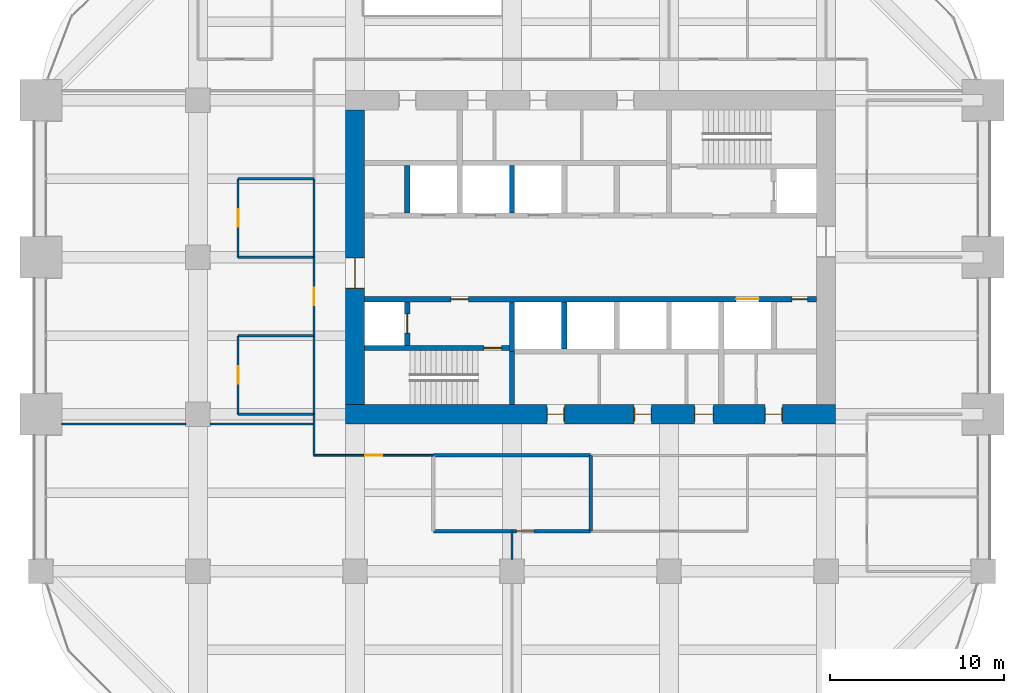
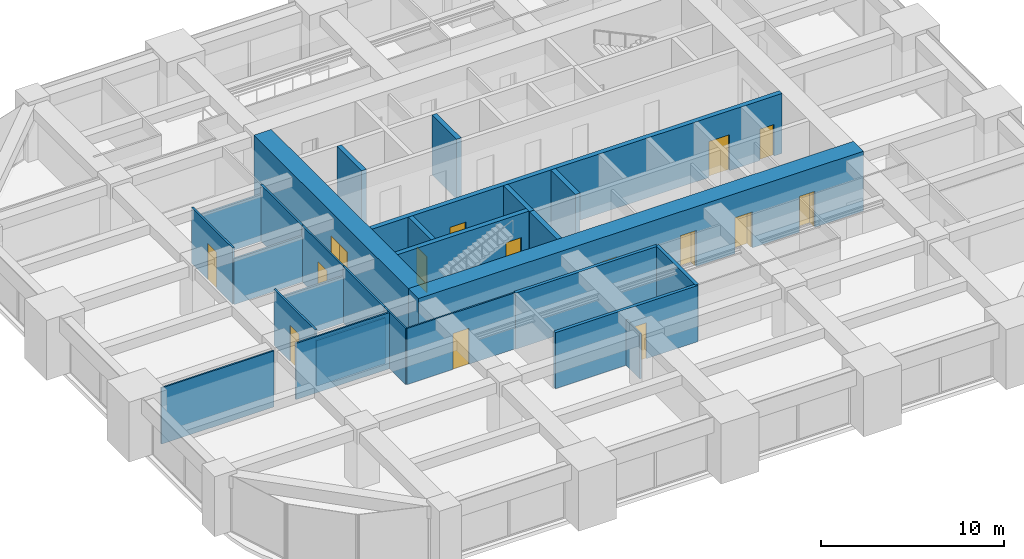
# One storey, part 29 of 32: 27 walls, 15 doors, 15 openings.
"""IFC4 building model written with IfcOpenShell, lengths in metres."""

from ifc_helpers import new_model, si_unit, direction, frame, frame_2d, origin, place, context, subcontext, project, spatial, rectangle, extrude, material, layer, layer_set, type_object, element, fill, save


model = new_model("IFC4")

# Units and contexts
model_context = context("Model", 3, precision=1e-05, world=origin(), true_north=direction((0.0, 1.0)))
body_context = subcontext(model_context, "Body", "Model", "MODEL_VIEW")
ifc_project = project(units=[si_unit("LENGTHUNIT", "METRE"), si_unit("AREAUNIT", "SQUARE_METRE"), si_unit("VOLUMEUNIT", "CUBIC_METRE"), si_unit("PLANEANGLEUNIT", "RADIAN"), si_unit("MASSUNIT", "GRAM", prefix="KILO")], contexts=[model_context])

# Site, building, storey
site_placement = place(None, origin())
site = spatial("IfcSite", under=ifc_project, at=site_placement, CompositionType="ELEMENT")
building_placement = place(site_placement, origin())
building = spatial("IfcBuilding", under=site, at=building_placement, Name="Zorevar Civic Tower", CompositionType="ELEMENT")
storey_placement = place(building_placement, frame((0.0, 0.0, 198.199951171875)))
storey = spatial("IfcBuildingStorey", under=building, at=storey_placement, Name="L48", CompositionType="ELEMENT", Elevation=198.199951171875)

# Wall, opening, door
ifc_material_1 = material(Name="Concrete blockwork", Category="masonry")
ifc_layer_1 = layer(ifc_material_1, 0.199951171875)
ifc_layer_set_1 = layer_set([ifc_layer_1], Name="Blockwork wall 200")
wall_type_1 = type_object("IfcWallType", Name="Blockwork wall 200", PredefinedType="SOLIDWALL", material=ifc_layer_set_1)
wall_1_placement = place(storey_placement, frame((22.5, 11.300048828125, 0.0), z_axis=(0.0, 0.0, 1.0), x_axis=(1.0, 0.0, 0.0)))
wall_1 = element("IfcWall", 1, at=wall_1_placement, inside=storey, type_object=wall_type_1, Name="Blockwork wall 200 L48", PredefinedType="SOLIDWALL", context=body_context, shape_type="SweptSolid", body=[
    extrude(rectangle(XDim=9.0, YDim=0.199951171875, at=frame_2d((4.5, 0.0))), origin(), (0.0, 0.0, 1.0), 3.75),
])
opening_1_placement = place(wall_1_placement, frame((4.75, 0.0, 0.0)))
opening_1 = element("IfcOpeningElement", 2, at=opening_1_placement, cuts=wall_1, Name="Opening L48.17", PredefinedType="OPENING", context=body_context, shape_type="SweptSolid", body=[
    extrude(rectangle(XDim=1.0, YDim=2.39990234375, at=frame_2d((0.5, 1.199951171875))), frame((0.0, 0.10986328125, 0.0), z_axis=(0.0, -1.0, 0.0), x_axis=(1.0, 0.0, 0.0)), (0.0, 0.0, 1.0), 0.219970703125),
])
ifc_material_2 = material(Name="Steel door set", Category="steel")
door_type_1 = type_object("IfcDoorType", Name="Security door SD1 1000x2400", OperationType="SINGLE_SWING_LEFT", PredefinedType="DOOR", material=ifc_material_2)
door_1_placement = place(opening_1_placement, origin())
door_1 = element("IfcDoor", 3, at=door_1_placement, inside=storey, type_object=door_type_1, Name="Door L48 D1", OperationType="SINGLE_SWING_RIGHT", OverallHeight=2.39990234375, OverallWidth=1.0, PredefinedType="DOOR", context=body_context, shape_type="SweptSolid", body=[
    extrude(rectangle(XDim=1.0, YDim=2.39990234375, at=frame_2d((0.5, 1.199951171875))), frame((0.0, 0.03515625, 0.0), z_axis=(0.0, -1.0, 0.0), x_axis=(1.0, 0.0, 0.0)), (0.0, 0.0, 1.0), 0.070068359375),
])
fill(opening_1, door_1)

# Walls
wall_2_placement = place(storey_placement, frame((22.5, 15.64990234375, 0.0), z_axis=(0.0, 0.0, 1.0), x_axis=(1.0, 0.0, 0.0)))
element("IfcWall", 4, at=wall_2_placement, inside=storey, type_object=wall_type_1, Name="Blockwork wall 200 L48", PredefinedType="SOLIDWALL", context=body_context, shape_type="SweptSolid", body=[
    extrude(rectangle(XDim=9.0, YDim=0.199951171875, at=frame_2d((4.5, 0.0))), origin(), (0.0, 0.0, 1.0), 3.75),
])
wall_3_placement = place(storey_placement, frame((31.5, 11.300048828125, 0.0), z_axis=(0.0, 0.0, 1.0), x_axis=(0.0, 1.0, 0.0)))
element("IfcWall", 5, at=wall_3_placement, inside=storey, type_object=wall_type_1, Name="Blockwork wall 200 L48", PredefinedType="SOLIDWALL", context=body_context, shape_type="SweptSolid", body=[
    extrude(rectangle(XDim=4.349853515625, YDim=0.199951171875, at=frame_2d((2.1748046875, 0.0))), origin(), (0.0, 0.0, 1.0), 3.75),
])

# Wall, openings, doors
ifc_material_3 = material(Name="Concrete C50/60", Category="concrete")
ifc_layer_2 = layer(ifc_material_3, 1.10009765625)
ifc_layer_set_2 = layer_set([ifc_layer_2], Name="Core wall 1100")
wall_type_2 = type_object("IfcWallType", Name="Core wall 1100", PredefinedType="SHEAR", material=ifc_layer_set_2)
wall_4_placement = place(storey_placement, frame((17.449951171875, 18.0, 0.0), z_axis=(0.0, 0.0, 1.0), x_axis=(1.0, 0.0, 0.0)))
wall_4 = element("IfcWall", 6, at=wall_4_placement, inside=storey, type_object=wall_type_2, Name="Core wall S L48", PredefinedType="SHEAR", context=body_context, shape_type="SweptSolid", body=[
    extrude(rectangle(XDim=28.10009765625, YDim=1.10009765625, at=frame_2d((14.050048828125, 0.0))), origin(), (0.0, 0.0, 1.0), 4.0),
])
opening_2_placement = place(wall_4_placement, frame((11.550048828125, 0.0, 0.0)))
opening_2 = element("IfcOpeningElement", 7, at=opening_2_placement, cuts=wall_4, Name="Opening L48.03", PredefinedType="OPENING", context=body_context, shape_type="SweptSolid", body=[
    extrude(rectangle(XDim=1.0, YDim=2.39990234375, at=frame_2d((0.5, 1.199951171875))), frame((0.0, 0.56005859375, 0.0), z_axis=(0.0, -1.0, 0.0), x_axis=(1.0, 0.0, 0.0)), (0.0, 0.0, 1.0), 1.1201171875),
])
opening_3_placement = place(wall_4_placement, frame((16.550048828125, 0.0, 0.0)))
opening_3 = element("IfcOpeningElement", 8, at=opening_3_placement, cuts=wall_4, Name="Opening L48.04", PredefinedType="OPENING", context=body_context, shape_type="SweptSolid", body=[
    extrude(rectangle(XDim=1.0, YDim=2.39990234375, at=frame_2d((0.5, 1.199951171875))), frame((0.0, 0.56005859375, 0.0), z_axis=(0.0, -1.0, 0.0), x_axis=(1.0, 0.0, 0.0)), (0.0, 0.0, 1.0), 1.1201171875),
])
opening_4_placement = place(wall_4_placement, frame((20.0, 0.0, 0.0)))
opening_4 = element("IfcOpeningElement", 9, at=opening_4_placement, cuts=wall_4, Name="Opening L48.05", PredefinedType="OPENING", context=body_context, shape_type="SweptSolid", body=[
    extrude(rectangle(XDim=1.10009765625, YDim=2.39990234375, at=frame_2d((0.550048828125, 1.199951171875))), frame((0.0, 0.56005859375, 0.0), z_axis=(0.0, -1.0, 0.0), x_axis=(1.0, 0.0, 0.0)), (0.0, 0.0, 1.0), 1.1201171875),
])
opening_5_placement = place(wall_4_placement, frame((24.050048828125, 0.0, 0.0)))
opening_5 = element("IfcOpeningElement", 10, at=opening_5_placement, cuts=wall_4, Name="Opening L48.06", PredefinedType="OPENING", context=body_context, shape_type="SweptSolid", body=[
    extrude(rectangle(XDim=1.0, YDim=2.39990234375, at=frame_2d((0.5, 1.199951171875))), frame((0.0, 0.56005859375, 0.0), z_axis=(0.0, -1.0, 0.0), x_axis=(1.0, 0.0, 0.0)), (0.0, 0.0, 1.0), 1.1201171875),
])
ifc_material_4 = material(Name="Timber door set", Category="wood")
door_type_2 = type_object("IfcDoorType", Name="Door D1 1000x2400", OperationType="SINGLE_SWING_LEFT", PredefinedType="DOOR", material=ifc_material_4)
door_2_placement = place(opening_2_placement, origin())
door_2 = element("IfcDoor", 11, at=door_2_placement, inside=storey, type_object=door_type_2, Name="Door L48 02", OperationType="SINGLE_SWING_RIGHT", OverallHeight=2.39990234375, OverallWidth=1.0, PredefinedType="DOOR", context=body_context, shape_type="SweptSolid", body=[
    extrude(rectangle(XDim=1.0, YDim=2.39990234375, at=frame_2d((0.5, 1.199951171875))), frame((0.0, 0.02490234375, 0.0), z_axis=(0.0, -1.0, 0.0), x_axis=(1.0, 0.0, 0.0)), (0.0, 0.0, 1.0), 0.050048828125),
    extrude(rectangle(XDim=0.04, YDim=2.39990234375, at=frame_2d((0.02001953125, 1.199951171875))), frame((0.0, 0.39990234375, 0.0), z_axis=(0.0, -1.0, 0.0), x_axis=(1.0, 0.0, 0.0)), (0.0, 0.0, 1.0), 0.800048828125),
    extrude(rectangle(XDim=0.04, YDim=2.39990234375, at=frame_2d((0.97998046875, 1.199951171875))), frame((0.0, 0.39990234375, 0.0), z_axis=(0.0, -1.0, 0.0), x_axis=(1.0, 0.0, 0.0)), (0.0, 0.0, 1.0), 0.800048828125),
    extrude(rectangle(XDim=1.0, YDim=0.04, at=frame_2d((0.5, 2.3798828125))), frame((0.0, 0.39990234375, 0.0), z_axis=(0.0, -1.0, 0.0), x_axis=(1.0, 0.0, 0.0)), (0.0, 0.0, 1.0), 0.800048828125),
])
fill(opening_2, door_2)
door_3_placement = place(opening_3_placement, origin())
door_3 = element("IfcDoor", 12, at=door_3_placement, inside=storey, type_object=door_type_2, Name="Door L48 03", OperationType="SINGLE_SWING_LEFT", OverallHeight=2.39990234375, OverallWidth=1.0, PredefinedType="DOOR", context=body_context, shape_type="SweptSolid", body=[
    extrude(rectangle(XDim=1.0, YDim=2.39990234375, at=frame_2d((0.5, 1.199951171875))), frame((0.0, 0.02490234375, 0.0), z_axis=(0.0, -1.0, 0.0), x_axis=(1.0, 0.0, 0.0)), (0.0, 0.0, 1.0), 0.050048828125),
    extrude(rectangle(XDim=0.04, YDim=2.39990234375, at=frame_2d((0.02001953125, 1.199951171875))), frame((0.0, 0.39990234375, 0.0), z_axis=(0.0, -1.0, 0.0), x_axis=(1.0, 0.0, 0.0)), (0.0, 0.0, 1.0), 0.800048828125),
    extrude(rectangle(XDim=0.04, YDim=2.39990234375, at=frame_2d((0.97998046875, 1.199951171875))), frame((0.0, 0.39990234375, 0.0), z_axis=(0.0, -1.0, 0.0), x_axis=(1.0, 0.0, 0.0)), (0.0, 0.0, 1.0), 0.800048828125),
    extrude(rectangle(XDim=1.0, YDim=0.04, at=frame_2d((0.5, 2.3798828125))), frame((0.0, 0.39990234375, 0.0), z_axis=(0.0, -1.0, 0.0), x_axis=(1.0, 0.0, 0.0)), (0.0, 0.0, 1.0), 0.800048828125),
])
fill(opening_3, door_3)
door_4_placement = place(opening_5_placement, origin())
door_4 = element("IfcDoor", 13, at=door_4_placement, inside=storey, type_object=door_type_2, Name="Door L48 05", OperationType="SINGLE_SWING_LEFT", OverallHeight=2.39990234375, OverallWidth=1.0, PredefinedType="DOOR", context=body_context, shape_type="SweptSolid", body=[
    extrude(rectangle(XDim=1.0, YDim=2.39990234375, at=frame_2d((0.5, 1.199951171875))), frame((0.0, 0.02490234375, 0.0), z_axis=(0.0, -1.0, 0.0), x_axis=(1.0, 0.0, 0.0)), (0.0, 0.0, 1.0), 0.050048828125),
    extrude(rectangle(XDim=0.04, YDim=2.39990234375, at=frame_2d((0.02001953125, 1.199951171875))), frame((0.0, 0.39990234375, 0.0), z_axis=(0.0, -1.0, 0.0), x_axis=(1.0, 0.0, 0.0)), (0.0, 0.0, 1.0), 0.800048828125),
    extrude(rectangle(XDim=0.04, YDim=2.39990234375, at=frame_2d((0.97998046875, 1.199951171875))), frame((0.0, 0.39990234375, 0.0), z_axis=(0.0, -1.0, 0.0), x_axis=(1.0, 0.0, 0.0)), (0.0, 0.0, 1.0), 0.800048828125),
    extrude(rectangle(XDim=1.0, YDim=0.04, at=frame_2d((0.5, 2.3798828125))), frame((0.0, 0.39990234375, 0.0), z_axis=(0.0, -1.0, 0.0), x_axis=(1.0, 0.0, 0.0)), (0.0, 0.0, 1.0), 0.800048828125),
])
fill(opening_5, door_4)
ifc_material_5 = material(Name="Timber door set", Category="wood")
door_type_3 = type_object("IfcDoorType", Name="Door D5 1100x2400", OperationType="SINGLE_SWING_LEFT", PredefinedType="DOOR", material=ifc_material_5)
door_5_placement = place(opening_4_placement, origin())
door_5 = element("IfcDoor", 14, at=door_5_placement, inside=storey, type_object=door_type_3, Name="Door L48 04", OperationType="SINGLE_SWING_LEFT", OverallHeight=2.39990234375, OverallWidth=1.10009765625, PredefinedType="DOOR", context=body_context, shape_type="SweptSolid", body=[
    extrude(rectangle(XDim=1.10009765625, YDim=2.39990234375, at=frame_2d((0.550048828125, 1.199951171875))), frame((0.0, 0.02490234375, 0.0), z_axis=(0.0, -1.0, 0.0), x_axis=(1.0, 0.0, 0.0)), (0.0, 0.0, 1.0), 0.050048828125),
    extrude(rectangle(XDim=0.04, YDim=2.39990234375, at=frame_2d((0.02001953125, 1.199951171875))), frame((0.0, 0.43994140625, 0.0), z_axis=(0.0, -1.0, 0.0), x_axis=(1.0, 0.0, 0.0)), (0.0, 0.0, 1.0), 0.880126953125),
    extrude(rectangle(XDim=0.04, YDim=2.39990234375, at=frame_2d((1.080078125, 1.199951171875))), frame((0.0, 0.43994140625, 0.0), z_axis=(0.0, -1.0, 0.0), x_axis=(1.0, 0.0, 0.0)), (0.0, 0.0, 1.0), 0.880126953125),
    extrude(rectangle(XDim=1.10009765625, YDim=0.04, at=frame_2d((0.550048828125, 2.3798828125))), frame((0.0, 0.43994140625, 0.0), z_axis=(0.0, -1.0, 0.0), x_axis=(1.0, 0.0, 0.0)), (0.0, 0.0, 1.0), 0.880126953125),
])
fill(opening_4, door_5)

# Wall, opening, door
wall_5_placement = place(storey_placement, frame((18.0, 35.449951171875, 0.0), z_axis=(0.0, 0.0, 1.0), x_axis=(0.0, -1.0, 0.0)))
wall_5 = element("IfcWall", 15, at=wall_5_placement, inside=storey, type_object=wall_type_2, Name="Core wall W L48", PredefinedType="SHEAR", context=body_context, shape_type="SweptSolid", body=[
    extrude(rectangle(XDim=16.89990234375, YDim=1.10009765625, at=frame_2d((8.449951171875, 0.0))), origin(), (0.0, 0.0, 1.0), 4.0),
])
opening_6_placement = place(wall_5_placement, frame((8.449951171875, 0.0, 0.0)))
opening_6 = element("IfcOpeningElement", 16, at=opening_6_placement, cuts=wall_5, Name="Opening L48.01", PredefinedType="OPENING", context=body_context, shape_type="SweptSolid", body=[
    extrude(rectangle(XDim=1.800048828125, YDim=2.39990234375, at=frame_2d((0.89990234375, 1.199951171875))), frame((0.0, 0.56005859375, 0.0), z_axis=(0.0, -1.0, 0.0), x_axis=(1.0, 0.0, 0.0)), (0.0, 0.0, 1.0), 1.1201171875),
])
ifc_material_6 = material(Name="Steel door set", Category="steel")
door_type_4 = type_object("IfcDoorType", Name="Fire door FD2 1800x2400", OperationType="DOUBLE_DOOR_DOUBLE_SWING", PredefinedType="DOOR", material=ifc_material_6)
door_6_placement = place(opening_6_placement, origin())
door_6 = element("IfcDoor", 17, at=door_6_placement, inside=storey, type_object=door_type_4, Name="Door L48 00", OperationType="DOUBLE_DOOR_DOUBLE_SWING", OverallHeight=2.39990234375, OverallWidth=1.800048828125, PredefinedType="DOOR", context=body_context, shape_type="SweptSolid", body=[
    extrude(rectangle(XDim=1.800048828125, YDim=2.39990234375, at=frame_2d((0.89990234375, 1.199951171875))), frame((0.0, 0.030029296875, 0.0), z_axis=(0.0, -1.0, 0.0), x_axis=(1.0, 0.0, 0.0)), (0.0, 0.0, 1.0), 0.06005859375),
    extrude(rectangle(XDim=0.04, YDim=2.39990234375, at=frame_2d((0.02001953125, 1.199951171875))), frame((0.0, 0.5498046875, 0.0), z_axis=(0.0, -1.0, 0.0), x_axis=(1.0, 0.0, 0.0)), (0.0, 0.0, 1.0), 1.099609375),
    extrude(rectangle(XDim=0.04, YDim=2.39990234375, at=frame_2d((1.780029296875, 1.199951171875))), frame((0.0, 0.5498046875, 0.0), z_axis=(0.0, -1.0, 0.0), x_axis=(1.0, 0.0, 0.0)), (0.0, 0.0, 1.0), 1.099609375),
    extrude(rectangle(XDim=1.800048828125, YDim=0.04, at=frame_2d((0.89990234375, 2.3798828125))), frame((0.0, 0.5498046875, 0.0), z_axis=(0.0, -1.0, 0.0), x_axis=(1.0, 0.0, 0.0)), (0.0, 0.0, 1.0), 1.099609375),
])
fill(opening_6, door_6)

ifc_material_7 = material(Name="Laminated glass in black aluminium frame", Category="aluminium")
ifc_layer_3 = layer(ifc_material_7, 0.10009765625)
ifc_layer_set_3 = layer_set([ifc_layer_3], Name="Glazed partition 100")
wall_type_3 = type_object("IfcWallType", Name="Glazed partition 100", PredefinedType="PARTITIONING", material=ifc_layer_set_3)
wall_6_placement = place(storey_placement, frame((15.64990234375, 15.64990234375, 0.0), z_axis=(0.0, 0.0, 1.0), x_axis=(1.0, 0.0, 0.0)))
wall_6 = element("IfcWall", 18, at=wall_6_placement, inside=storey, type_object=wall_type_3, Name="Glazed partition 100 L48", PredefinedType="PARTITIONING", context=body_context, shape_type="SweptSolid", body=[
    extrude(rectangle(XDim=6.85009765625, YDim=0.10009765625, at=frame_2d((3.425048828125, 0.0))), origin(), (0.0, 0.0, 1.0), 3.75),
])
opening_7_placement = place(wall_6_placement, frame((2.925048828125, 0.0, 0.0)))
opening_7 = element("IfcOpeningElement", 19, at=opening_7_placement, cuts=wall_6, Name="Opening L48.19", PredefinedType="OPENING", context=body_context, shape_type="SweptSolid", body=[
    extrude(rectangle(XDim=1.0, YDim=2.39990234375, at=frame_2d((0.5, 1.199951171875))), frame((0.0, 0.06005859375, 0.0), z_axis=(0.0, -1.0, 0.0), x_axis=(1.0, 0.0, 0.0)), (0.0, 0.0, 1.0), 0.1201171875),
])
ifc_material_8 = material(Name="Timber door set", Category="wood")
door_type_5 = type_object("IfcDoorType", Name="Glazed door GD1 1000x2400", OperationType="SINGLE_SWING_LEFT", PredefinedType="DOOR", material=ifc_material_8)
door_7_placement = place(opening_7_placement, origin())
door_7 = element("IfcDoor", 20, at=door_7_placement, inside=storey, type_object=door_type_5, Name="Door L48 D1", OperationType="SINGLE_SWING_RIGHT", OverallHeight=2.39990234375, OverallWidth=1.0, PredefinedType="DOOR", context=body_context, shape_type="SweptSolid", body=[
    extrude(rectangle(XDim=1.0, YDim=2.39990234375, at=frame_2d((0.5, 1.199951171875))), frame((0.0, 0.02001953125, 0.0), z_axis=(0.0, -1.0, 0.0), x_axis=(1.0, 0.0, 0.0)), (0.0, 0.0, 1.0), 0.0400390625),
])
fill(opening_7, door_7)

# Walls
wall_7_placement = place(storey_placement, frame((1.199951171875, 17.449951171875, 0.0), z_axis=(0.0, 0.0, 1.0), x_axis=(1.0, 0.0, 0.0)))
element("IfcWall", 21, at=wall_7_placement, inside=storey, type_object=wall_type_3, Name="Glazed partition 100 L48", PredefinedType="PARTITIONING", context=body_context, shape_type="SweptSolid", body=[
    extrude(rectangle(XDim=7.10009765625, YDim=0.10009765625, at=frame_2d((3.550048828125, 0.0))), origin(), (0.0, 0.0, 1.0), 3.75),
])
wall_8_placement = place(storey_placement, frame((9.699951171875, 17.449951171875, 0.0), z_axis=(0.0, 0.0, 1.0), x_axis=(1.0, 0.0, 0.0)))
element("IfcWall", 22, at=wall_8_placement, inside=storey, type_object=wall_type_3, Name="Glazed partition 100 L48", PredefinedType="PARTITIONING", context=body_context, shape_type="SweptSolid", body=[
    extrude(rectangle(XDim=5.949951171875, YDim=0.10009765625, at=frame_2d((2.97509765625, 0.0))), origin(), (0.0, 0.0, 1.0), 3.75),
])
wall_9_placement = place(storey_placement, frame((15.64990234375, 15.64990234375, 0.0), z_axis=(0.0, 0.0, 1.0), x_axis=(0.0, 1.0, 0.0)))
element("IfcWall", 23, at=wall_9_placement, inside=storey, type_object=wall_type_3, Name="Glazed partition 100 L48", PredefinedType="PARTITIONING", context=body_context, shape_type="SweptSolid", body=[
    extrude(rectangle(XDim=2.35009765625, YDim=0.10009765625, at=frame_2d((1.175048828125, 0.0))), origin(), (0.0, 0.0, 1.0), 3.75),
])

# Wall, opening, door
wall_10_placement = place(storey_placement, frame((15.64990234375, 22.5, 0.0), z_axis=(0.0, 0.0, 1.0), x_axis=(0.0, 1.0, 0.0)))
wall_10 = element("IfcWall", 24, at=wall_10_placement, inside=storey, type_object=wall_type_3, Name="Glazed partition 100 L48", PredefinedType="PARTITIONING", context=body_context, shape_type="SweptSolid", body=[
    extrude(rectangle(XDim=4.5, YDim=0.10009765625, at=frame_2d((2.25, 0.0))), origin(), (0.0, 0.0, 1.0), 3.75),
])
opening_8_placement = place(wall_10_placement, frame((1.75, 0.0, 0.0)))
opening_8 = element("IfcOpeningElement", 25, at=opening_8_placement, cuts=wall_10, Name="Opening L48.29", PredefinedType="OPENING", context=body_context, shape_type="SweptSolid", body=[
    extrude(rectangle(XDim=1.0, YDim=2.39990234375, at=frame_2d((0.5, 1.199951171875))), frame((0.0, 0.06005859375, 0.0), z_axis=(0.0, -1.0, 0.0), x_axis=(1.0, 0.0, 0.0)), (0.0, 0.0, 1.0), 0.1201171875),
])
door_8_placement = place(opening_8_placement, origin())
door_8 = element("IfcDoor", 26, at=door_8_placement, inside=storey, type_object=door_type_5, Name="Door L48 D1", OperationType="SINGLE_SWING_LEFT", OverallHeight=2.39990234375, OverallWidth=1.0, PredefinedType="DOOR", context=body_context, shape_type="SweptSolid", body=[
    extrude(rectangle(XDim=1.0, YDim=2.39990234375, at=frame_2d((0.5, 1.199951171875))), frame((0.0, 0.02001953125, 0.0), z_axis=(0.0, -1.0, 0.0), x_axis=(1.0, 0.0, 0.0)), (0.0, 0.0, 1.0), 0.0400390625),
])
fill(opening_8, door_8)

# Wall
wall_11_placement = place(storey_placement, frame((27.0, 9.699951171875, 0.0), z_axis=(0.0, 0.0, 1.0), x_axis=(0.0, 1.0, 0.0)))
element("IfcWall", 27, at=wall_11_placement, inside=storey, type_object=wall_type_3, Name="Glazed partition 100 L48", PredefinedType="PARTITIONING", context=body_context, shape_type="SweptSolid", body=[
    extrude(rectangle(XDim=1.610107421875, YDim=0.10009765625, at=frame_2d((0.80517578125, 0.0))), origin(), (0.0, 0.0, 1.0), 3.050048828125),
])

# Wall, opening, door
ifc_material_9 = material(Name="Concrete C40/50", Category="concrete")
ifc_layer_4 = layer(ifc_material_9, 0.300048828125)
ifc_layer_set_4 = layer_set([ifc_layer_4], Name="Inner core wall 300")
wall_type_4 = type_object("IfcWallType", Name="Inner core wall 300", PredefinedType="SHEAR", material=ifc_layer_set_4)
wall_12_placement = place(storey_placement, frame((18.550048828125, 21.800048828125, 0.0), z_axis=(0.0, 0.0, 1.0), x_axis=(1.0, 0.0, 0.0)))
wall_12 = element("IfcWall", 28, at=wall_12_placement, inside=storey, type_object=wall_type_4, Name="Inner core wall S00 L48", PredefinedType="SHEAR", context=body_context, shape_type="SweptSolid", body=[
    extrude(rectangle(XDim=8.300048828125, YDim=0.300048828125, at=frame_2d((4.14990234375, 0.0))), origin(), (0.0, 0.0, 1.0), 4.0),
])
opening_9_placement = place(wall_12_placement, frame((6.85009765625, 0.0, 0.0)))
opening_9 = element("IfcOpeningElement", 29, at=opening_9_placement, cuts=wall_12, Name="Opening L48.11", PredefinedType="OPENING", context=body_context, shape_type="SweptSolid", body=[
    extrude(rectangle(XDim=1.0, YDim=2.39990234375, at=frame_2d((0.5, 1.199951171875))), frame((0.0, 0.159912109375, 0.0), z_axis=(0.0, -1.0, 0.0), x_axis=(1.0, 0.0, 0.0)), (0.0, 0.0, 1.0), 0.320068359375),
])
ifc_material_10 = material(Name="Steel door set", Category="steel")
door_type_6 = type_object("IfcDoorType", Name="Fire door FD1 1000x2400", OperationType="SINGLE_SWING_LEFT", PredefinedType="DOOR", material=ifc_material_10)
door_9_placement = place(opening_9_placement, origin())
door_9 = element("IfcDoor", 30, at=door_9_placement, inside=storey, type_object=door_type_6, Name="Door L48 10", OperationType="SINGLE_SWING_RIGHT", OverallHeight=2.39990234375, OverallWidth=1.0, PredefinedType="DOOR", context=body_context, shape_type="SweptSolid", body=[
    extrude(rectangle(XDim=1.0, YDim=2.39990234375, at=frame_2d((0.5, 1.199951171875))), frame((0.0, 0.030029296875, 0.0), z_axis=(0.0, -1.0, 0.0), x_axis=(1.0, 0.0, 0.0)), (0.0, 0.0, 1.0), 0.06005859375),
])
fill(opening_9, door_9)

# Wall
wall_13_placement = place(storey_placement, frame((27.0, 18.550048828125, 0.0), z_axis=(0.0, 0.0, 1.0), x_axis=(0.0, 1.0, 0.0)))
element("IfcWall", 31, at=wall_13_placement, inside=storey, type_object=wall_type_4, Name="Inner core wall S01 L48", PredefinedType="SHEAR", context=body_context, shape_type="SweptSolid", body=[
    extrude(rectangle(XDim=3.050048828125, YDim=0.300048828125, at=frame_2d((1.52490234375, 0.0))), origin(), (0.0, 0.0, 1.0), 4.0),
])

# Wall, opening, door
wall_14_placement = place(storey_placement, frame((21.0, 21.949951171875, 0.0), z_axis=(0.0, 0.0, 1.0), x_axis=(0.0, 1.0, 0.0)))
wall_14 = element("IfcWall", 32, at=wall_14_placement, inside=storey, type_object=wall_type_4, Name="Inner core wall S02 L48", PredefinedType="SHEAR", context=body_context, shape_type="SweptSolid", body=[
    extrude(rectangle(XDim=2.5, YDim=0.300048828125, at=frame_2d((1.25, 0.0))), origin(), (0.0, 0.0, 1.0), 4.0),
])
opening_10_placement = place(wall_14_placement, frame((0.699951171875, 0.0, 0.0)))
opening_10 = element("IfcOpeningElement", 33, at=opening_10_placement, cuts=wall_14, Name="Opening L48.FL1", PredefinedType="OPENING", context=body_context, shape_type="SweptSolid", body=[
    extrude(rectangle(XDim=1.10009765625, YDim=2.39990234375, at=frame_2d((0.550048828125, 1.199951171875))), frame((0.0, 0.159912109375, 0.0), z_axis=(0.0, -1.0, 0.0), x_axis=(1.0, 0.0, 0.0)), (0.0, 0.0, 1.0), 0.320068359375),
])
ifc_material_11 = material(Name="Steel door set", Category="steel")
door_type_7 = type_object("IfcDoorType", Name="Firefighting lift landing door LD3 1100x2400", OperationType="DOUBLE_DOOR_SLIDING", PredefinedType="DOOR", material=ifc_material_11)
door_10_placement = place(opening_10_placement, origin())
door_10 = element("IfcDoor", 34, at=door_10_placement, inside=storey, type_object=door_type_7, Name="Landing door FL1 L48", OperationType="DOUBLE_DOOR_SLIDING", OverallHeight=2.39990234375, OverallWidth=1.10009765625, PredefinedType="DOOR", context=body_context, shape_type="SweptSolid", body=[
    extrude(rectangle(XDim=1.10009765625, YDim=2.39990234375, at=frame_2d((0.550048828125, 1.199951171875))), frame((0.0, 0.030029296875, 0.0), z_axis=(0.0, -1.0, 0.0), x_axis=(1.0, 0.0, 0.0)), (0.0, 0.0, 1.0), 0.06005859375),
])
fill(opening_10, door_10)

# Wall, openings, doors
wall_15_placement = place(storey_placement, frame((18.550048828125, 24.60009765625, 0.0), z_axis=(0.0, 0.0, 1.0), x_axis=(1.0, 0.0, 0.0)))
wall_15 = element("IfcWall", 35, at=wall_15_placement, inside=storey, type_object=wall_type_4, Name="Inner core wall S03 L48", PredefinedType="SHEAR", context=body_context, shape_type="SweptSolid", body=[
    extrude(rectangle(XDim=25.89990234375, YDim=0.300048828125, at=frame_2d((12.949951171875, 0.0))), origin(), (0.0, 0.0, 1.0), 4.0),
])
opening_11_placement = place(wall_15_placement, frame((4.949951171875, 0.0, 0.0)))
opening_11 = element("IfcOpeningElement", 36, at=opening_11_placement, cuts=wall_15, Name="Opening L48.13", PredefinedType="OPENING", context=body_context, shape_type="SweptSolid", body=[
    extrude(rectangle(XDim=1.0, YDim=2.39990234375, at=frame_2d((0.5, 1.199951171875))), frame((0.0, 0.159912109375, 0.0), z_axis=(0.0, -1.0, 0.0), x_axis=(1.0, 0.0, 0.0)), (0.0, 0.0, 1.0), 0.320068359375),
])
opening_12_placement = place(wall_15_placement, frame((24.5, 0.0, 0.0)))
opening_12 = element("IfcOpeningElement", 37, at=opening_12_placement, cuts=wall_15, Name="Opening L48.15", PredefinedType="OPENING", context=body_context, shape_type="SweptSolid", body=[
    extrude(rectangle(XDim=0.89990234375, YDim=2.10009765625, at=frame_2d((0.449951171875, 1.050048828125))), frame((0.0, 0.159912109375, 0.0), z_axis=(0.0, -1.0, 0.0), x_axis=(1.0, 0.0, 0.0)), (0.0, 0.0, 1.0), 0.320068359375),
])
opening_13_placement = place(wall_15_placement, frame((21.300048828125, 0.0, 0.0)))
opening_13 = element("IfcOpeningElement", 38, at=opening_13_placement, cuts=wall_15, Name="Opening L48.SL1", PredefinedType="OPENING", context=body_context, shape_type="SweptSolid", body=[
    extrude(rectangle(XDim=1.300048828125, YDim=2.39990234375, at=frame_2d((0.64990234375, 1.199951171875))), frame((0.0, 0.159912109375, 0.0), z_axis=(0.0, -1.0, 0.0), x_axis=(1.0, 0.0, 0.0)), (0.0, 0.0, 1.0), 0.320068359375),
])
door_11_placement = place(opening_11_placement, origin())
door_11 = element("IfcDoor", 39, at=door_11_placement, inside=storey, type_object=door_type_6, Name="Door L48 12", OperationType="SINGLE_SWING_RIGHT", OverallHeight=2.39990234375, OverallWidth=1.0, PredefinedType="DOOR", context=body_context, shape_type="SweptSolid", body=[
    extrude(rectangle(XDim=1.0, YDim=2.39990234375, at=frame_2d((0.5, 1.199951171875))), frame((0.0, 0.030029296875, 0.0), z_axis=(0.0, -1.0, 0.0), x_axis=(1.0, 0.0, 0.0)), (0.0, 0.0, 1.0), 0.06005859375),
])
fill(opening_11, door_11)
ifc_material_12 = material(Name="Steel door set", Category="steel")
door_type_8 = type_object("IfcDoorType", Name="Landing door LD2 1300x2400", OperationType="DOUBLE_DOOR_SLIDING", PredefinedType="DOOR", material=ifc_material_12)
door_12_placement = place(opening_13_placement, origin())
door_12 = element("IfcDoor", 40, at=door_12_placement, inside=storey, type_object=door_type_8, Name="Landing door SL1 L48", OperationType="DOUBLE_DOOR_SLIDING", OverallHeight=2.39990234375, OverallWidth=1.300048828125, PredefinedType="DOOR", context=body_context, shape_type="SweptSolid", body=[
    extrude(rectangle(XDim=1.300048828125, YDim=2.39990234375, at=frame_2d((0.64990234375, 1.199951171875))), frame((0.0, 0.02001953125, 0.0), z_axis=(0.0, -1.0, 0.0), x_axis=(1.0, 0.0, 0.0)), (0.0, 0.0, 1.0), 0.0400390625),
])
fill(opening_13, door_12)
ifc_material_13 = material(Name="Steel door set", Category="steel")
door_type_9 = type_object("IfcDoorType", Name="Riser door RD1 900x2100", OperationType="SINGLE_SWING_LEFT", PredefinedType="DOOR", material=ifc_material_13)
door_13_placement = place(opening_12_placement, origin())
door_13 = element("IfcDoor", 41, at=door_13_placement, inside=storey, type_object=door_type_9, Name="Door L48 14", OperationType="SINGLE_SWING_RIGHT", OverallHeight=2.10009765625, OverallWidth=0.89990234375, PredefinedType="DOOR", context=body_context, shape_type="SweptSolid", body=[
    extrude(rectangle(XDim=0.89990234375, YDim=2.10009765625, at=frame_2d((0.449951171875, 1.050048828125))), frame((0.0, 0.030029296875, 0.0), z_axis=(0.0, -1.0, 0.0), x_axis=(1.0, 0.0, 0.0)), (0.0, 0.0, 1.0), 0.06005859375),
])
fill(opening_12, door_13)

# Walls
for number, where, z_axis, x_axis, name in (
    (42, (30.0, 21.75, 0.0), (0.0, 0.0, 1.0), (0.0, 1.0, 0.0), "Inner core wall S05 L48"),
    (43, (27.0, 29.550048828125, 0.0), (0.0, 0.0, 1.0), (0.0, 1.0, 0.0), "Inner core wall N07 L48"),
    (44, (21.0, 29.550048828125, 0.0), (0.0, 0.0, 1.0), (0.0, 1.0, 0.0), "Inner core wall N09 L48"),
):
    element("IfcWall", number, at=place(storey_placement, frame(where, z_axis=z_axis, x_axis=x_axis)), inside=storey, type_object=wall_type_4, Name=name, PredefinedType="SHEAR", context=body_context, shape_type="SweptSolid", body=[
        extrude(rectangle(XDim=2.699951171875, YDim=0.300048828125, at=frame_2d((1.35009765625, 0.0))), origin(), (0.0, 0.0, 1.0), 4.0),
    ])
wall_16_placement = place(storey_placement, frame((27.0, 21.60009765625, 0.0), z_axis=(0.0, 0.0, 1.0), x_axis=(0.0, 1.0, 0.0)))
element("IfcWall", 45, at=wall_16_placement, inside=storey, type_object=wall_type_4, Name="Inner core wall S10 L48", PredefinedType="SHEAR", context=body_context, shape_type="SweptSolid", body=[
    extrude(rectangle(XDim=2.849853515625, YDim=0.300048828125, at=frame_2d((1.4248046875, 0.0))), origin(), (0.0, 0.0, 1.0), 4.0),
])
ifc_material_14 = material(Name="Gypsum board on steel studs", Category="steel")
ifc_layer_5 = layer(ifc_material_14, 0.1201171875)
ifc_layer_set_5 = layer_set([ifc_layer_5], Name="Partition 120")
wall_type_5 = type_object("IfcWallType", Name="Partition 120", PredefinedType="PARTITIONING", material=ifc_layer_set_5)
wall_17_placement = place(storey_placement, frame((11.300048828125, 18.0, 0.0), z_axis=(0.0, 0.0, 1.0), x_axis=(1.0, 0.0, 0.0)))
element("IfcWall", 46, at=wall_17_placement, inside=storey, type_object=wall_type_5, Name="Partition 120 L48", PredefinedType="PARTITIONING", context=body_context, shape_type="SweptSolid", body=[
    extrude(rectangle(XDim=4.349853515625, YDim=0.1201171875, at=frame_2d((2.1748046875, 0.0))), origin(), (0.0, 0.0, 1.0), 3.050048828125),
])
wall_18_placement = place(storey_placement, frame((11.300048828125, 22.5, 0.0), z_axis=(0.0, 0.0, 1.0), x_axis=(1.0, 0.0, 0.0)))
element("IfcWall", 47, at=wall_18_placement, inside=storey, type_object=wall_type_5, Name="Partition 120 L48", PredefinedType="PARTITIONING", context=body_context, shape_type="SweptSolid", body=[
    extrude(rectangle(XDim=4.349853515625, YDim=0.1201171875, at=frame_2d((2.1748046875, 0.0))), origin(), (0.0, 0.0, 1.0), 3.10009765625),
])
wall_19_placement = place(storey_placement, frame((11.300048828125, 27.0, 0.0), z_axis=(0.0, 0.0, 1.0), x_axis=(1.0, 0.0, 0.0)))
element("IfcWall", 48, at=wall_19_placement, inside=storey, type_object=wall_type_5, Name="Partition 120 L48", PredefinedType="PARTITIONING", context=body_context, shape_type="SweptSolid", body=[
    extrude(rectangle(XDim=4.349853515625, YDim=0.1201171875, at=frame_2d((2.1748046875, 0.0))), origin(), (0.0, 0.0, 1.0), 3.050048828125),
])
wall_20_placement = place(storey_placement, frame((11.300048828125, 31.5, 0.0), z_axis=(0.0, 0.0, 1.0), x_axis=(1.0, 0.0, 0.0)))
element("IfcWall", 49, at=wall_20_placement, inside=storey, type_object=wall_type_5, Name="Partition 120 L48", PredefinedType="PARTITIONING", context=body_context, shape_type="SweptSolid", body=[
    extrude(rectangle(XDim=4.349853515625, YDim=0.1201171875, at=frame_2d((2.1748046875, 0.0))), origin(), (0.0, 0.0, 1.0), 3.10009765625),
])

# Wall, opening, door
wall_21_placement = place(storey_placement, frame((11.300048828125, 18.0, 0.0), z_axis=(0.0, 0.0, 1.0), x_axis=(0.0, 1.0, 0.0)))
wall_21 = element("IfcWall", 50, at=wall_21_placement, inside=storey, type_object=wall_type_5, Name="Partition 120 L48", PredefinedType="PARTITIONING", context=body_context, shape_type="SweptSolid", body=[
    extrude(rectangle(XDim=4.5, YDim=0.1201171875, at=frame_2d((2.25, 0.0))), origin(), (0.0, 0.0, 1.0), 3.75),
])
opening_14_placement = place(wall_21_placement, frame((1.75, 0.0, 0.0)))
opening_14 = element("IfcOpeningElement", 51, at=opening_14_placement, cuts=wall_21, Name="Opening L48.27", PredefinedType="OPENING", context=body_context, shape_type="SweptSolid", body=[
    extrude(rectangle(XDim=1.0, YDim=2.39990234375, at=frame_2d((0.5, 1.199951171875))), frame((0.0, 0.070068359375, 0.0), z_axis=(0.0, -1.0, 0.0), x_axis=(1.0, 0.0, 0.0)), (0.0, 0.0, 1.0), 0.14013671875),
])
door_14_placement = place(opening_14_placement, origin())
door_14 = element("IfcDoor", 52, at=door_14_placement, inside=storey, type_object=door_type_2, Name="Door L48 D1", OperationType="SINGLE_SWING_RIGHT", OverallHeight=2.39990234375, OverallWidth=1.0, PredefinedType="DOOR", context=body_context, shape_type="SweptSolid", body=[
    extrude(rectangle(XDim=1.0, YDim=2.39990234375, at=frame_2d((0.5, 1.199951171875))), frame((0.0, 0.02490234375, 0.0), z_axis=(0.0, -1.0, 0.0), x_axis=(1.0, 0.0, 0.0)), (0.0, 0.0, 1.0), 0.050048828125),
])
fill(opening_14, door_14)

wall_22_placement = place(storey_placement, frame((11.300048828125, 27.0, 0.0), z_axis=(0.0, 0.0, 1.0), x_axis=(0.0, 1.0, 0.0)))
wall_22 = element("IfcWall", 53, at=wall_22_placement, inside=storey, type_object=wall_type_5, Name="Partition 120 L48", PredefinedType="PARTITIONING", context=body_context, shape_type="SweptSolid", body=[
    extrude(rectangle(XDim=4.5, YDim=0.1201171875, at=frame_2d((2.25, 0.0))), origin(), (0.0, 0.0, 1.0), 3.75),
])
opening_15_placement = place(wall_22_placement, frame((1.75, 0.0, 0.0)))
opening_15 = element("IfcOpeningElement", 54, at=opening_15_placement, cuts=wall_22, Name="Opening L48.28", PredefinedType="OPENING", context=body_context, shape_type="SweptSolid", body=[
    extrude(rectangle(XDim=1.0, YDim=2.39990234375, at=frame_2d((0.5, 1.199951171875))), frame((0.0, 0.070068359375, 0.0), z_axis=(0.0, -1.0, 0.0), x_axis=(1.0, 0.0, 0.0)), (0.0, 0.0, 1.0), 0.14013671875),
])
door_15_placement = place(opening_15_placement, origin())
door_15 = element("IfcDoor", 55, at=door_15_placement, inside=storey, type_object=door_type_2, Name="Door L48 D1", OperationType="SINGLE_SWING_LEFT", OverallHeight=2.39990234375, OverallWidth=1.0, PredefinedType="DOOR", context=body_context, shape_type="SweptSolid", body=[
    extrude(rectangle(XDim=1.0, YDim=2.39990234375, at=frame_2d((0.5, 1.199951171875))), frame((0.0, 0.02490234375, 0.0), z_axis=(0.0, -1.0, 0.0), x_axis=(1.0, 0.0, 0.0)), (0.0, 0.0, 1.0), 0.050048828125),
])
fill(opening_15, door_15)

# Walls
for number, where, z_axis, x_axis, name in (
    (56, (15.64990234375, 18.0, 0.0), (0.0, 0.0, 1.0), (0.0, 1.0, 0.0), "Partition 120 L48"),
    (57, (15.64990234375, 27.0, 0.0), (0.0, 0.0, 1.0), (0.0, 1.0, 0.0), "Partition 120 L48"),
):
    element("IfcWall", number, at=place(storey_placement, frame(where, z_axis=z_axis, x_axis=x_axis)), inside=storey, type_object=wall_type_5, Name=name, PredefinedType="PARTITIONING", context=body_context, shape_type="SweptSolid", body=[
        extrude(rectangle(XDim=4.5, YDim=0.1201171875, at=frame_2d((2.25, 0.0))), origin(), (0.0, 0.0, 1.0), 3.75),
    ])

save(model, "model.ifc")
